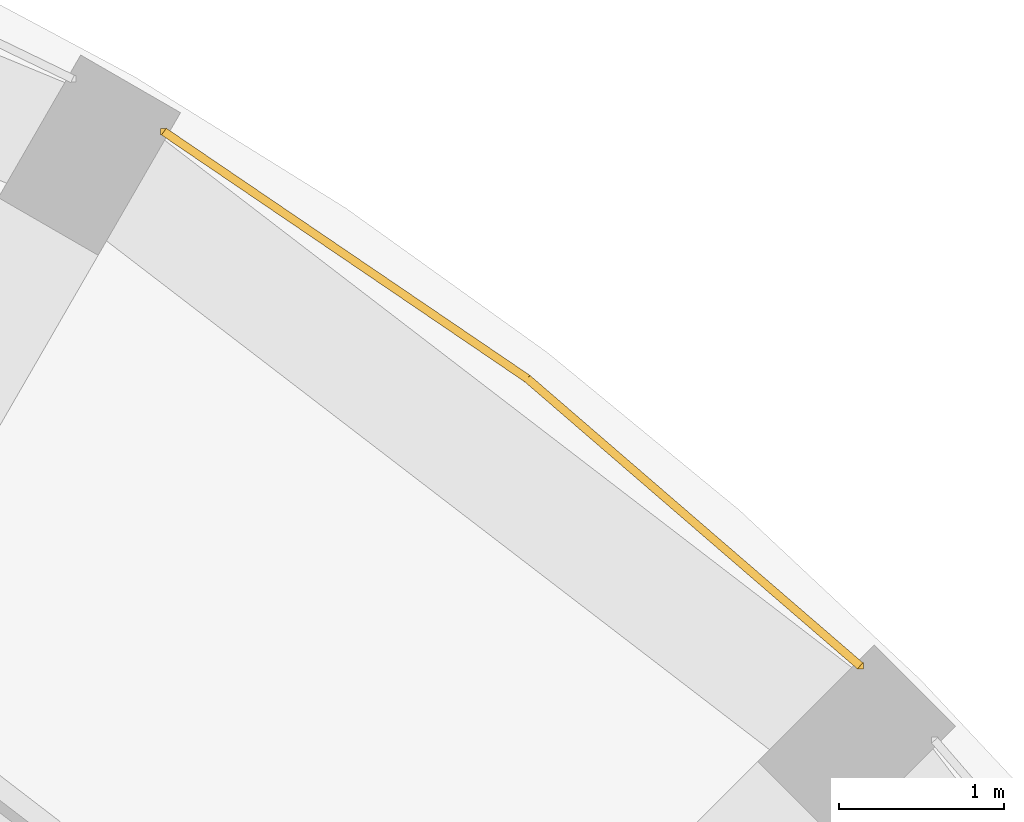
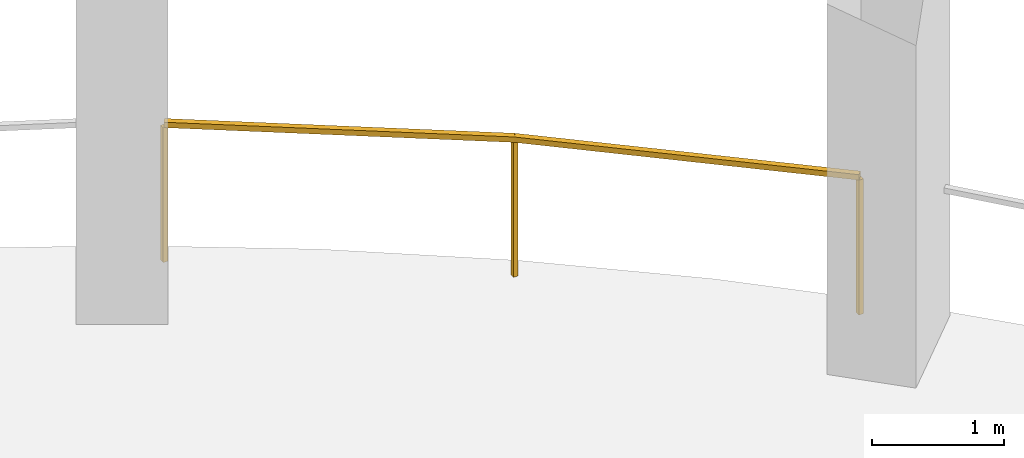
# One storey, part 9 of 9: 1 railing.
"""IFC4 building model written with IfcOpenShell, lengths in metres."""

import ifcopenshell
import ifcopenshell.guid

model = None  # the IFC model being written
_history = None  # IfcOwnerHistory: only IFC2X3 demands one
_inside = {}  # id of a spatial element -> (the spatial element, [elements in it])
_under = {}  # id of a project, library or spatial element -> (it, [spatial elements below it])
_declared = {}  # id of a project -> (the project, [libraries it declares])
_typed = {}  # id of a type object -> (the type object, [elements of that type])
_made_of = {}  # id of a material, layer set ... -> (it, [elements and type objects made of it])


def new_model(schema):
    """Start an empty IFC model of exactly this schema.

    Asked for "IFC4X3", IfcOpenShell would pick the latest addendum, in which some entities
    have other attributes; the version numbers below select the first issue.
    IFC2X3 requires an IfcOwnerHistory on every rooted entity: one is made here for all.
    """
    global model, _history
    if schema == "IFC4X3":
        model = ifcopenshell.file(schema_version=(4, 3, 0, 0))
    else:
        model = ifcopenshell.file(schema=schema)
    _inside.clear()
    _under.clear()
    _declared.clear()
    _typed.clear()
    _made_of.clear()
    _history = None
    if model.schema == "IFC2X3":
        org = make("IfcOrganization", Name="unknown")
        user = make(
            "IfcPersonAndOrganization",
            ThePerson=make("IfcPerson", FamilyName="unknown"),
            TheOrganization=org,
        )
        app = make(
            "IfcApplication",
            ApplicationDeveloper=org,
            Version="unknown",
            ApplicationFullName="unknown",
            ApplicationIdentifier="unknown",
        )
        _history = make(
            "IfcOwnerHistory",
            OwningUser=user,
            OwningApplication=app,
            ChangeAction="ADDED",
            CreationDate=0,
        )
    return model


def make(cls, **values):
    """One entity of the class cls with the attributes given. An attribute that is None is left unset."""
    return model.create_entity(
        cls, **{name: value for name, value in values.items() if value is not None}
    )


def rooted(cls, **values):
    """An entity with a GlobalId (a new one), such as an element, a storey or a relation."""
    return make(cls, GlobalId=ifcopenshell.guid.new(), OwnerHistory=_history, **values)


def si_unit(unit_type, name, prefix=None):
    """IfcSIUnit, for example si_unit("LENGTHUNIT", "METRE", prefix="MILLI")."""
    return make("IfcSIUnit", UnitType=unit_type, Prefix=prefix, Name=name)


def assignment(units):
    """IfcUnitAssignment: the units of a project."""
    return None if units is None else make("IfcUnitAssignment", Units=units)


def point(xyz):
    """IfcCartesianPoint."""
    return None if xyz is None else make("IfcCartesianPoint", Coordinates=xyz)


def direction(xyz):
    """IfcDirection."""
    return None if xyz is None else make("IfcDirection", DirectionRatios=xyz)


def frame(location, z_axis=None, x_axis=None):
    """IfcAxis2Placement3D, a coordinate frame: its origin and axes. An axis left out is left unset."""
    return make(
        "IfcAxis2Placement3D",
        Location=point(location),
        Axis=direction(z_axis),
        RefDirection=direction(x_axis),
    )


def frame_2d(location, x_axis=None):
    """IfcAxis2Placement2D, a coordinate frame in the plane: its origin and x axis."""
    return make(
        "IfcAxis2Placement2D", Location=point(location), RefDirection=direction(x_axis)
    )


def origin():
    """The frame at (0, 0, 0) with its axes left unset."""
    return frame((0.0, 0.0, 0.0))


def origin_2d():
    """The frame at (0, 0) in the plane with its x axis left unset."""
    return frame_2d((0.0, 0.0))


def place(relative_to, where):
    """IfcLocalPlacement: puts the frame where relative to a parent placement (None: the world)."""
    return make(
        "IfcLocalPlacement", PlacementRelTo=relative_to, RelativePlacement=where
    )


def context(
    kind, dimensions, precision=None, world=None, true_north=None, identifier=None
):
    """IfcGeometricRepresentationContext, for example the 3D "Model" context."""
    return make(
        "IfcGeometricRepresentationContext",
        ContextIdentifier=identifier,
        ContextType=kind,
        CoordinateSpaceDimension=dimensions,
        Precision=precision,
        WorldCoordinateSystem=world,
        TrueNorth=true_north,
    )


def subcontext(parent, identifier, kind, view, scale=None):
    """IfcGeometricRepresentationSubContext, for example "Body" below "Model"."""
    return make(
        "IfcGeometricRepresentationSubContext",
        ContextIdentifier=identifier,
        ContextType=kind,
        ParentContext=parent,
        TargetScale=scale,
        TargetView=view,
    )


def project(units=None, contexts=None):
    """IfcProject with its units and contexts."""
    return rooted(
        "IfcProject",
        Name="project",
        RepresentationContexts=contexts,
        UnitsInContext=assignment(units),
    )


def spatial(cls, under=None, at=None, **own):
    """A site, building, storey or space (cls), placed at a placement, below another one or the project."""
    s = rooted(cls, ObjectPlacement=at, **own)
    if under is not None:
        _under.setdefault(under.id(), (under, []))[1].append(s)
    return s


def profile(cls, at=None, kind="AREA", **sizes):
    """A parametric profile (cls). Its sizes go by their IFC names, for example OverallWidth=200.0."""
    return make(cls, ProfileType=kind, Position=at, **sizes)


def rectangle(**sizes):
    """IfcRectangleProfileDef."""
    return profile("IfcRectangleProfileDef", **sizes)


def extrude(swept, where, along, depth):
    """IfcExtrudedAreaSolid: the profile swept, set in the frame where, extruded along a direction by depth."""
    return make(
        "IfcExtrudedAreaSolid",
        SweptArea=swept,
        Position=where,
        ExtrudedDirection=direction(along),
        Depth=depth,
    )


def shape(context_of_items, identifier, shape_type, items):
    """IfcShapeRepresentation: the items that make up one representation, for example the "Body"."""
    return make(
        "IfcShapeRepresentation",
        ContextOfItems=context_of_items,
        RepresentationIdentifier=identifier,
        RepresentationType=shape_type,
        Items=items,
    )


def material(Name=None, Category=None):
    """IfcMaterial."""
    return make("IfcMaterial", Name=Name, Category=Category)


def made_of(thing, what):
    """Note that an element or type object is made of a material, layer set ...; save() writes the relation."""
    if what is not None:
        _made_of.setdefault(what.id(), (what, []))[1].append(thing)
    return thing


def type_object(cls, material=None, **own):
    """A type object (cls), such as IfcWallType, which elements share."""
    return made_of(rooted(cls, **own), material)


def element(
    cls,
    number,
    at=None,
    inside=None,
    cuts=None,
    type_object=None,
    material=None,
    context=None,
    identifier="Body",
    shape_type=None,
    held_by="IfcProductDefinitionShape",
    body=None,
    shapes=None,
    **own,
):
    """One element of the class cls, such as IfcWall. Its Tag is "e" and its number.

    at: its placement. inside: the storey or other place that contains it. cuts: it is an
    opening in that element (IfcRelVoidsElement). A single representation is given by context,
    identifier, shape_type and body (its items); several are given by shapes. held_by: the class
    of the entity that holds the representations. save() writes the other relations.
    """
    e = rooted(cls, Tag="e%d" % number, ObjectPlacement=at, **own)
    if body is not None:
        shapes = [shape(context, identifier, shape_type, body)]
    if shapes is not None:
        e.Representation = make(held_by, Representations=shapes)
    if inside is not None:
        _inside.setdefault(inside.id(), (inside, []))[1].append(e)
    if cuts is not None:
        rooted(
            "IfcRelVoidsElement", RelatingBuildingElement=cuts, RelatedOpeningElement=e
        )
    if type_object is not None:
        _typed.setdefault(type_object.id(), (type_object, []))[1].append(e)
    return made_of(e, material)


def aggregate(whole, parts):
    """IfcRelAggregates: a whole, such as a stair, and the parts it consists of."""
    return rooted("IfcRelAggregates", RelatingObject=whole, RelatedObjects=parts)


def save(model, path):
    """Write the relations noted so far, then the file.

    IfcRelAggregates (storeys below a building ...), IfcRelContainedInSpatialStructure (elements
    in a storey), IfcRelDefinesByType, IfcRelAssociatesMaterial and IfcRelDeclares: one each for
    every whole, place, type object, material and project.
    """
    for whole, parts in _under.values():
        aggregate(whole, parts)
    for where, things in _inside.values():
        rooted(
            "IfcRelContainedInSpatialStructure",
            RelatedElements=things,
            RelatingStructure=where,
        )
    for kind, things in _typed.values():
        rooted("IfcRelDefinesByType", RelatedObjects=things, RelatingType=kind)
    for what, things in _made_of.values():
        rooted("IfcRelAssociatesMaterial", RelatedObjects=things, RelatingMaterial=what)
    for by, libraries in _declared.values():
        rooted("IfcRelDeclares", RelatingContext=by, RelatedDefinitions=libraries)
    model.write(path)


model = new_model("IFC4")

# Units and contexts
model_context = context("Model", 3, precision=1e-05, world=origin(), true_north=direction((0.0, 1.0)))
body_context = subcontext(model_context, "Body", "Model", "MODEL_VIEW")
ifc_project = project(units=[si_unit("LENGTHUNIT", "METRE"), si_unit("AREAUNIT", "SQUARE_METRE"), si_unit("VOLUMEUNIT", "CUBIC_METRE"), si_unit("PLANEANGLEUNIT", "RADIAN"), si_unit("MASSUNIT", "GRAM", prefix="KILO")], contexts=[model_context])

# Site, building, storey
site_placement = place(None, origin())
site = spatial("IfcSite", under=ifc_project, at=site_placement, CompositionType="ELEMENT")
building_placement = place(site_placement, origin())
building = spatial("IfcBuilding", under=site, at=building_placement, Name="Torre Triforio", CompositionType="ELEMENT")
storey_placement = place(building_placement, frame((0.0, 0.0, 169.0)))
storey = spatial("IfcBuildingStorey", under=building, at=storey_placement, Name="L38", CompositionType="ELEMENT", Elevation=169.0)

# Railing
ifc_material = material(Name="Stainless steel AISI 316", Category="steel")
railing_type = type_object("IfcRailingType", Name="Loggia guard 1300", PredefinedType="GUARDRAIL", material=ifc_material)
railing_placement = place(storey_placement, frame((15.93115234375, 16.3837890625, 0.0)))
element("IfcRailing", 1, at=railing_placement, inside=storey, type_object=railing_type, Name="Loggia guard L38 bay 04", PredefinedType="GUARDRAIL", context=body_context, shape_type="SweptSolid", body=[
    extrude(rectangle(XDim=0.050048828125, YDim=0.050048828125, at=origin_2d()), frame((0.0, 0.0, 1.27490234375), z_axis=(-0.757012150376, 0.653400799038, 0.0), x_axis=(-0.653400799038, -0.757012150376, 0.0)), (0.0, 0.0, 1.0), 2.669677734375),
    extrude(rectangle(XDim=0.050048828125, YDim=0.050048828125, at=origin_2d()), frame((-2.02099609375, 1.744384765625, 1.27490234375), z_axis=(-0.827093160774, 0.562064856935, 0.0), x_axis=(-0.562064856935, -0.827093160774, 0.0)), (0.0, 0.0, 1.0), 2.669677734375),
    extrude(rectangle(XDim=0.0400390625, YDim=0.0400390625, at=origin_2d()), origin(), (0.0, 0.0, 1.0), 1.25),
    extrude(rectangle(XDim=0.0400390625, YDim=0.0400390625, at=origin_2d()), frame((-2.02099609375, 1.744384765625, 0.0)), (0.0, 0.0, 1.0), 1.25),
    extrude(rectangle(XDim=0.0400390625, YDim=0.0400390625, at=origin_2d()), frame((-4.22900390625, 3.244873046875, 0.0)), (0.0, 0.0, 1.0), 1.25),
])

save(model, "model.ifc")
